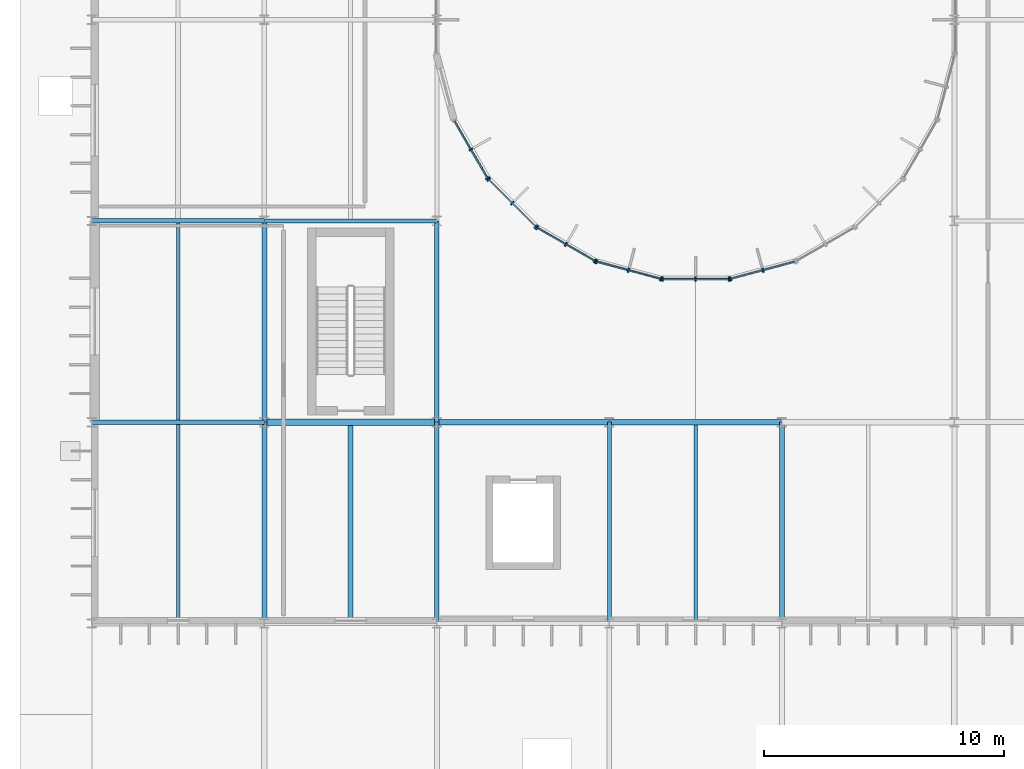
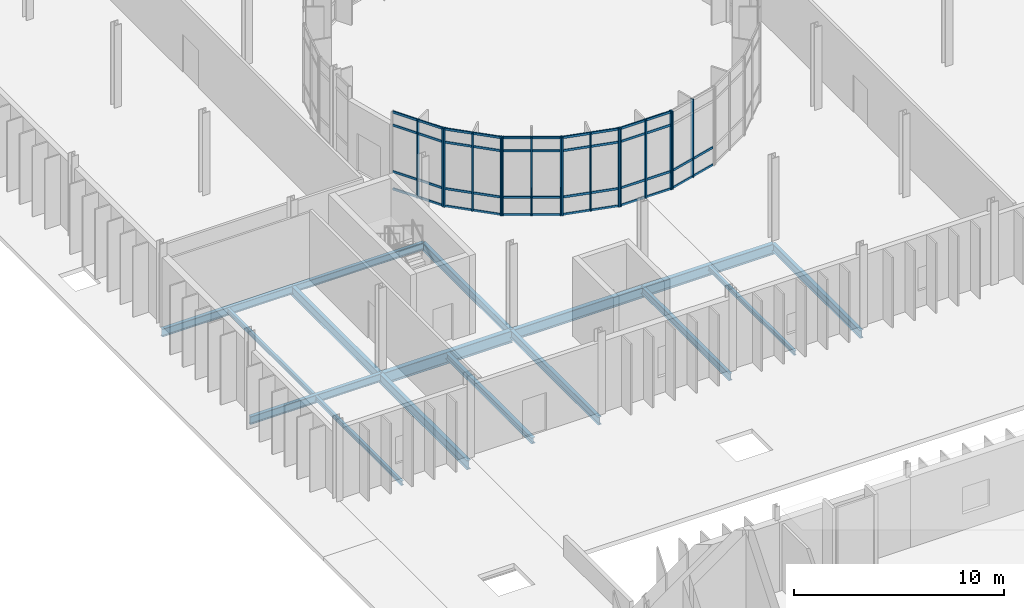
# One storey, part 39 of 118: 38 members, 16 beams, 6 elements without a shape of their own.
"""IFC4 building model written with IfcOpenShell, lengths in metres."""

from ifc_helpers import new_model, si_unit, direction, frame, origin, origin_2d, place, context, subcontext, project, spatial, rectangle, i_section, extrude, material, material_profile, profile_set, type_object, element, aggregate, save


model = new_model("IFC4")

# Units and contexts
model_context = context("Model", 3, precision=1e-05, world=origin(), true_north=direction((0.0, 1.0)))
body_context = subcontext(model_context, "Body", "Model", "MODEL_VIEW")
ifc_project = project(units=[si_unit("LENGTHUNIT", "METRE"), si_unit("AREAUNIT", "SQUARE_METRE"), si_unit("VOLUMEUNIT", "CUBIC_METRE"), si_unit("PLANEANGLEUNIT", "RADIAN"), si_unit("MASSUNIT", "GRAM", prefix="KILO")], contexts=[model_context])

# Site, building, storey
site_placement = place(None, origin())
site = spatial("IfcSite", under=ifc_project, at=site_placement, CompositionType="ELEMENT")
building_placement = place(site_placement, origin())
building = spatial("IfcBuilding", under=site, at=building_placement, Name="Qelthora Terrace Specialist Clinic", CompositionType="ELEMENT")
storey_placement = place(building_placement, origin())
storey = spatial("IfcBuildingStorey", under=building, at=storey_placement, Name="L00", CompositionType="ELEMENT", Elevation=0.0)

# Beams
ifc_material_1 = material(Name="Steel S355", Category="steel")
ifc_material_profile_1 = material_profile(ifc_material_1, i_section(OverallWidth=0.179931640625, OverallDepth=0.4130859375, WebThickness=0.009765625, FlangeThickness=0.01611328125, FilletRadius=0.011962890625, at=origin_2d()), Name="W410X75")
ifc_profile_set_1 = profile_set([ifc_material_profile_1], Name="Steel S355")
beam_type_1 = type_object("IfcBeamType", Name="BM-W410X75", PredefinedType="BEAM", material=ifc_profile_set_1)
beam_1_placement = place(storey_placement, frame((7.199951171875, 75.60009765625, -0.45654296875), z_axis=(1.0, 0.0, 0.0), x_axis=(0.0, 1.0, 0.0)))
element("IfcBeam", 1, at=beam_1_placement, inside=storey, type_object=beam_type_1, Name="Girder BMX-L00-0051", PredefinedType="BEAM", context=body_context, shape_type="SweptSolid", body=[
    extrude(i_section(OverallWidth=0.179931640625, OverallDepth=0.4130859375, WebThickness=0.009765625, FlangeThickness=0.01611328125, FilletRadius=0.011962890625, at=origin_2d()), origin(), (0.0, 0.0, 1.0), 7.199951171875),
])
beam_2_placement = place(storey_placement, frame((21.60009765625, 58.800048828125, -0.45654296875), z_axis=(0.0, 1.0, 0.0), x_axis=(-1.0, 0.0, 0.0)))
element("IfcBeam", 2, at=beam_2_placement, inside=storey, type_object=beam_type_1, Name="Girder BMY-L00-0099", PredefinedType="BEAM", context=body_context, shape_type="SweptSolid", body=[
    extrude(i_section(OverallWidth=0.179931640625, OverallDepth=0.4130859375, WebThickness=0.009765625, FlangeThickness=0.01611328125, FilletRadius=0.011962890625, at=origin_2d()), origin(), (0.0, 0.0, 1.0), 8.39990234375),
])
ifc_material_profile_2 = material_profile(ifc_material_1, i_section(OverallWidth=0.19091796875, OverallDepth=0.4599609375, WebThickness=0.010009765625, FlangeThickness=0.01611328125, FilletRadius=0.012939453125, at=origin_2d()), Name="W460X82")
ifc_profile_set_2 = profile_set([ifc_material_profile_2], Name="Steel S355")
beam_type_2 = type_object("IfcBeamType", Name="BM-W460X82", PredefinedType="BEAM", material=ifc_profile_set_2)
beam_3_placement = place(storey_placement, frame((14.39990234375, 67.199951171875, -0.47998046875), z_axis=(0.0, 1.0, 0.0), x_axis=(-1.0, 0.0, 0.0)))
element("IfcBeam", 3, at=beam_3_placement, inside=storey, type_object=beam_type_2, Name="Girder BMY-L00-0088", PredefinedType="BEAM", context=body_context, shape_type="SweptSolid", body=[
    extrude(i_section(OverallWidth=0.19091796875, OverallDepth=0.4599609375, WebThickness=0.010009765625, FlangeThickness=0.01611328125, FilletRadius=0.012939453125, at=origin_2d()), origin(), (0.0, 0.0, 1.0), 8.400146484375),
])
ifc_material_profile_3 = material_profile(ifc_material_1, i_section(OverallWidth=0.193115234375, OverallDepth=0.466064453125, WebThickness=0.011474609375, FlangeThickness=0.01904296875, FilletRadius=0.012939453125, at=origin_2d()), Name="W460X97")
ifc_profile_set_3 = profile_set([ifc_material_profile_3], Name="Steel S355")
beam_type_3 = type_object("IfcBeamType", Name="BM-W460X97", PredefinedType="BEAM", material=ifc_profile_set_3)
for number, where, z_axis, x_axis, name in (
    (4, (14.39990234375, 58.800048828125, -0.48291015625), (0.0, 1.0, 0.0), (-1.0, 0.0, 0.0), "Girder BMY-L00-0087"),
    (5, (28.800048828125, 58.800048828125, -0.48291015625), (0.0, 1.0, 0.0), (-1.0, 0.0, 0.0), "Girder BMY-L00-0107"),
):
    element("IfcBeam", number, at=place(storey_placement, frame(where, z_axis=z_axis, x_axis=x_axis)), inside=storey, type_object=beam_type_3, Name=name, PredefinedType="BEAM", context=body_context, shape_type="SweptSolid", body=[
        extrude(i_section(OverallWidth=0.193115234375, OverallDepth=0.466064453125, WebThickness=0.011474609375, FlangeThickness=0.01904296875, FilletRadius=0.012939453125, at=origin_2d()), origin(), (0.0, 0.0, 1.0), 8.39990234375),
    ])
ifc_material_profile_4 = material_profile(ifc_material_1, i_section(OverallWidth=0.2099609375, OverallDepth=0.537109375, WebThickness=0.010986328125, FlangeThickness=0.017333984375, FilletRadius=0.013916015625, at=origin_2d()), Name="W530X101")
ifc_profile_set_4 = profile_set([ifc_material_profile_4], Name="Steel S355")
beam_type_4 = type_object("IfcBeamType", Name="BM-W530X101", PredefinedType="BEAM", material=ifc_profile_set_4)
beam_4_placement = place(storey_placement, frame((7.199951171875, 67.199951171875, -0.5185546875), z_axis=(0.0, 1.0, 0.0), x_axis=(-1.0, 0.0, 0.0)))
element("IfcBeam", 6, at=beam_4_placement, inside=storey, type_object=beam_type_4, Name="Girder BMY-L00-0076", PredefinedType="BEAM", context=body_context, shape_type="SweptSolid", body=[
    extrude(i_section(OverallWidth=0.2099609375, OverallDepth=0.537109375, WebThickness=0.010986328125, FlangeThickness=0.017333984375, FilletRadius=0.013916015625, at=origin_2d()), origin(), (0.0, 0.0, 1.0), 8.400146484375),
])
ifc_material_profile_5 = material_profile(ifc_material_1, i_section(OverallWidth=0.2119140625, OverallDepth=0.5439453125, WebThickness=0.01318359375, FlangeThickness=0.021240234375, FilletRadius=0.013916015625, at=origin_2d()), Name="W530X123")
ifc_profile_set_5 = profile_set([ifc_material_profile_5], Name="Steel S355")
beam_type_5 = type_object("IfcBeamType", Name="BM-W530X123", PredefinedType="BEAM", material=ifc_profile_set_5)
beam_5_placement = place(storey_placement, frame((7.199951171875, 58.800048828125, -0.52197265625), z_axis=(0.0, 1.0, 0.0), x_axis=(-1.0, 0.0, 0.0)))
element("IfcBeam", 7, at=beam_5_placement, inside=storey, type_object=beam_type_5, Name="Girder BMY-L00-0075", PredefinedType="BEAM", context=body_context, shape_type="SweptSolid", body=[
    extrude(i_section(OverallWidth=0.2119140625, OverallDepth=0.5439453125, WebThickness=0.01318359375, FlangeThickness=0.021240234375, FilletRadius=0.013916015625, at=origin_2d()), origin(), (0.0, 0.0, 1.0), 8.39990234375),
])
ifc_material_profile_6 = material_profile(ifc_material_1, i_section(OverallWidth=0.22900390625, OverallDepth=0.612060546875, WebThickness=0.011962890625, FlangeThickness=0.01953125, FilletRadius=0.01611328125, at=origin_2d()), Name="W610X125")
ifc_profile_set_6 = profile_set([ifc_material_profile_6], Name="Steel S355")
beam_type_6 = type_object("IfcBeamType", Name="BM-W610X125", PredefinedType="BEAM", material=ifc_profile_set_6)
beam_6_placement = place(storey_placement, frame((21.60009765625, 67.199951171875, -0.555908203125), z_axis=(1.0, 0.0, 0.0), x_axis=(0.0, 1.0, 0.0)))
element("IfcBeam", 8, at=beam_6_placement, inside=storey, type_object=beam_type_6, Name="Girder BMX-L00-0046", PredefinedType="BEAM", context=body_context, shape_type="SweptSolid", body=[
    extrude(i_section(OverallWidth=0.22900390625, OverallDepth=0.612060546875, WebThickness=0.011962890625, FlangeThickness=0.01953125, FilletRadius=0.01611328125, at=origin_2d()), origin(), (0.0, 0.0, 1.0), 7.199951171875),
])
ifc_material_profile_7 = material_profile(ifc_material_1, i_section(OverallWidth=0.22998046875, OverallDepth=0.616943359375, WebThickness=0.01318359375, FlangeThickness=0.022216796875, FilletRadius=0.01611328125, at=origin_2d()), Name="W610X140")
ifc_profile_set_7 = profile_set([ifc_material_profile_7], Name="Steel S355")
beam_type_7 = type_object("IfcBeamType", Name="BM-W610X140", PredefinedType="BEAM", material=ifc_profile_set_7)
beam_7_placement = place(storey_placement, frame((14.39990234375, 67.199951171875, -0.55859375), z_axis=(1.0, 0.0, 0.0), x_axis=(0.0, 1.0, 0.0)))
element("IfcBeam", 9, at=beam_7_placement, inside=storey, type_object=beam_type_7, Name="Girder BMX-L00-0045", PredefinedType="BEAM", context=body_context, shape_type="SweptSolid", body=[
    extrude(i_section(OverallWidth=0.22998046875, OverallDepth=0.616943359375, WebThickness=0.01318359375, FlangeThickness=0.022216796875, FilletRadius=0.01611328125, at=origin_2d()), origin(), (0.0, 0.0, 1.0), 7.2001953125),
])
ifc_material_profile_8 = material_profile(ifc_material_1, i_section(OverallWidth=0.25390625, OverallDepth=0.68798828125, WebThickness=0.01318359375, FlangeThickness=0.02099609375, FilletRadius=0.01806640625, at=origin_2d()), Name="W690X152")
ifc_profile_set_8 = profile_set([ifc_material_profile_8], Name="Steel S355")
beam_type_8 = type_object("IfcBeamType", Name="BM-W690X152", PredefinedType="BEAM", material=ifc_profile_set_8)
beam_8_placement = place(storey_placement, frame((7.199951171875, 67.199951171875, -0.593994140625), z_axis=(1.0, 0.0, 0.0), x_axis=(0.0, 1.0, 0.0)))
element("IfcBeam", 10, at=beam_8_placement, inside=storey, type_object=beam_type_8, Name="Girder BMX-L00-0044", PredefinedType="BEAM", context=body_context, shape_type="SweptSolid", body=[
    extrude(i_section(OverallWidth=0.25390625, OverallDepth=0.68798828125, WebThickness=0.01318359375, FlangeThickness=0.02099609375, FilletRadius=0.01806640625, at=origin_2d()), origin(), (0.0, 0.0, 1.0), 7.199951171875),
])

# Curtain wall, members
ifc_material_2 = material(Name="Aluminium anodized bronze", Category="aluminium")
curtain_wall_type = type_object("IfcCurtainWallType", Name="CW-CRTW-L00", PredefinedType="NOTDEFINED", material=ifc_material_2)
curtain_wall_1_placement = place(storey_placement, origin())
curtain_wall_1 = element("IfcCurtainWall", 11, at=curtain_wall_1_placement, inside=storey, type_object=curtain_wall_type, Name="Curtain wall CW-CW-L00-14", PredefinedType="NOTDEFINED")
ifc_material_profile_9 = material_profile(ifc_material_2, rectangle(XDim=0.06494140625, YDim=0.179931640625, at=origin_2d()), Name="CWM65X180")
ifc_profile_set_9 = profile_set([ifc_material_profile_9], Name="Aluminium anodized bronze")
member_type_1 = type_object("IfcMemberType", Name="CWM-65X180", PredefinedType="MULLION", material=ifc_profile_set_9)
member_1_placement = place(storey_placement, frame((15.822998046875, 78.586181640625, 0.0), z_axis=(0.0, 0.0, 1.0), x_axis=(0.499999597971, -0.866025635896, 0.0)))
member_1 = element("IfcMember", 12, at=member_1_placement, type_object=member_type_1, Name="CW-CW-L00-14 mullion 2", PredefinedType="MULLION", context=body_context, shape_type="SweptSolid", body=[
    extrude(rectangle(XDim=0.06494140625, YDim=0.179931640625, at=origin_2d()), origin(), (0.0, 0.0, 1.0), 4.544921875),
])
member_2_placement = place(storey_placement, frame((16.517822265625, 77.3828125, 0.0), z_axis=(0.0, 0.0, 1.0), x_axis=(0.499999597971, -0.866025635896, 0.0)))
member_2 = element("IfcMember", 13, at=member_2_placement, type_object=member_type_1, Name="CW-CW-L00-14 mullion 3", PredefinedType="MULLION", context=body_context, shape_type="SweptSolid", body=[
    extrude(rectangle(XDim=0.06494140625, YDim=0.179931640625, at=origin_2d()), origin(), (0.0, 0.0, 1.0), 4.544921875),
])

curtain_wall_2_placement = place(storey_placement, origin())
curtain_wall_2 = element("IfcCurtainWall", 14, at=curtain_wall_2_placement, inside=storey, type_object=curtain_wall_type, Name="Curtain wall CW-CW-L00-15", PredefinedType="NOTDEFINED")
member_3_placement = place(storey_placement, frame((16.56103515625, 77.326416015625, 0.0), z_axis=(0.0, 0.0, 1.0), x_axis=(0.707106781187, -0.707106781187, 0.0)))
member_3 = element("IfcMember", 15, at=member_3_placement, type_object=member_type_1, Name="CW-CW-L00-15 mullion 1", PredefinedType="MULLION", context=body_context, shape_type="SweptSolid", body=[
    extrude(rectangle(XDim=0.06494140625, YDim=0.179931640625, at=origin_2d()), origin(), (0.0, 0.0, 1.0), 4.544921875),
])
member_4_placement = place(storey_placement, frame((17.543701171875, 76.34375, 0.0), z_axis=(0.0, 0.0, 1.0), x_axis=(0.707106781187, -0.707106781187, 0.0)))
member_4 = element("IfcMember", 16, at=member_4_placement, type_object=member_type_1, Name="CW-CW-L00-15 mullion 2", PredefinedType="MULLION", context=body_context, shape_type="SweptSolid", body=[
    extrude(rectangle(XDim=0.06494140625, YDim=0.179931640625, at=origin_2d()), origin(), (0.0, 0.0, 1.0), 4.544921875),
])
member_5_placement = place(storey_placement, frame((18.5263671875, 75.361083984375, 0.0), z_axis=(0.0, 0.0, 1.0), x_axis=(0.707106781187, -0.707106781187, 0.0)))
member_5 = element("IfcMember", 17, at=member_5_placement, type_object=member_type_1, Name="CW-CW-L00-15 mullion 3", PredefinedType="MULLION", context=body_context, shape_type="SweptSolid", body=[
    extrude(rectangle(XDim=0.06494140625, YDim=0.179931640625, at=origin_2d()), origin(), (0.0, 0.0, 1.0), 4.544921875),
])

curtain_wall_3_placement = place(storey_placement, origin())
curtain_wall_3 = element("IfcCurtainWall", 18, at=curtain_wall_3_placement, inside=storey, type_object=curtain_wall_type, Name="Curtain wall CW-CW-L00-16", PredefinedType="NOTDEFINED")
member_6_placement = place(storey_placement, frame((18.582763671875, 75.31787109375, 0.0), z_axis=(0.0, 0.0, 1.0), x_axis=(0.866025635896, -0.499999597971, 0.0)))
member_6 = element("IfcMember", 19, at=member_6_placement, type_object=member_type_1, Name="CW-CW-L00-16 mullion 1", PredefinedType="MULLION", context=body_context, shape_type="SweptSolid", body=[
    extrude(rectangle(XDim=0.06494140625, YDim=0.179931640625, at=origin_2d()), origin(), (0.0, 0.0, 1.0), 4.544921875),
])
member_7_placement = place(storey_placement, frame((19.7861328125, 74.623046875, 0.0), z_axis=(0.0, 0.0, 1.0), x_axis=(0.866025635896, -0.499999597971, 0.0)))
member_7 = element("IfcMember", 20, at=member_7_placement, type_object=member_type_1, Name="CW-CW-L00-16 mullion 2", PredefinedType="MULLION", context=body_context, shape_type="SweptSolid", body=[
    extrude(rectangle(XDim=0.06494140625, YDim=0.179931640625, at=origin_2d()), origin(), (0.0, 0.0, 1.0), 4.544921875),
])
member_8_placement = place(storey_placement, frame((20.98974609375, 73.92822265625, 0.0), z_axis=(0.0, 0.0, 1.0), x_axis=(0.866025635896, -0.499999597971, 0.0)))
member_8 = element("IfcMember", 21, at=member_8_placement, type_object=member_type_1, Name="CW-CW-L00-16 mullion 3", PredefinedType="MULLION", context=body_context, shape_type="SweptSolid", body=[
    extrude(rectangle(XDim=0.06494140625, YDim=0.179931640625, at=origin_2d()), origin(), (0.0, 0.0, 1.0), 4.544921875),
])

curtain_wall_4_placement = place(storey_placement, origin())
curtain_wall_4 = element("IfcCurtainWall", 22, at=curtain_wall_4_placement, inside=storey, type_object=curtain_wall_type, Name="Curtain wall CW-CW-L00-17", PredefinedType="NOTDEFINED")
member_9_placement = place(storey_placement, frame((21.05517578125, 73.901123046875, 0.0), z_axis=(0.0, 0.0, 1.0), x_axis=(0.96592547477, -0.258820356987, 0.0)))
member_9 = element("IfcMember", 23, at=member_9_placement, type_object=member_type_1, Name="CW-CW-L00-17 mullion 1", PredefinedType="MULLION", context=body_context, shape_type="SweptSolid", body=[
    extrude(rectangle(XDim=0.06494140625, YDim=0.179931640625, at=origin_2d()), origin(), (0.0, 0.0, 1.0), 4.544921875),
])
member_10_placement = place(storey_placement, frame((22.397705078125, 73.541259765625, 0.0), z_axis=(0.0, 0.0, 1.0), x_axis=(0.96592547477, -0.258820356987, 0.0)))
member_10 = element("IfcMember", 24, at=member_10_placement, type_object=member_type_1, Name="CW-CW-L00-17 mullion 2", PredefinedType="MULLION", context=body_context, shape_type="SweptSolid", body=[
    extrude(rectangle(XDim=0.06494140625, YDim=0.179931640625, at=origin_2d()), origin(), (0.0, 0.0, 1.0), 4.544921875),
])
member_11_placement = place(storey_placement, frame((23.739990234375, 73.181640625, 0.0), z_axis=(0.0, 0.0, 1.0), x_axis=(0.96592547477, -0.258820356987, 0.0)))
member_11 = element("IfcMember", 25, at=member_11_placement, type_object=member_type_1, Name="CW-CW-L00-17 mullion 3", PredefinedType="MULLION", context=body_context, shape_type="SweptSolid", body=[
    extrude(rectangle(XDim=0.06494140625, YDim=0.179931640625, at=origin_2d()), origin(), (0.0, 0.0, 1.0), 4.544921875),
])

curtain_wall_5_placement = place(storey_placement, origin())
curtain_wall_5 = element("IfcCurtainWall", 26, at=curtain_wall_5_placement, inside=storey, type_object=curtain_wall_type, Name="Curtain wall CW-CW-L00-18", PredefinedType="NOTDEFINED")
member_12_placement = place(storey_placement, frame((23.810302734375, 73.17236328125, 0.0), z_axis=(0.0, 0.0, 1.0), x_axis=(1.0, 0.0, 0.0)))
member_12 = element("IfcMember", 27, at=member_12_placement, type_object=member_type_1, Name="CW-CW-L00-18 mullion 1", PredefinedType="MULLION", context=body_context, shape_type="SweptSolid", body=[
    extrude(rectangle(XDim=0.06494140625, YDim=0.179931640625, at=origin_2d()), origin(), (0.0, 0.0, 1.0), 4.544921875),
])
member_13_placement = place(storey_placement, frame((25.199951171875, 73.17236328125, 0.0), z_axis=(0.0, 0.0, 1.0), x_axis=(1.0, 0.0, 0.0)))
member_13 = element("IfcMember", 28, at=member_13_placement, type_object=member_type_1, Name="CW-CW-L00-18 mullion 2", PredefinedType="MULLION", context=body_context, shape_type="SweptSolid", body=[
    extrude(rectangle(XDim=0.06494140625, YDim=0.179931640625, at=origin_2d()), origin(), (0.0, 0.0, 1.0), 4.544921875),
])
member_14_placement = place(storey_placement, frame((26.589599609375, 73.17236328125, 0.0), z_axis=(0.0, 0.0, 1.0), x_axis=(1.0, 0.0, 0.0)))
member_14 = element("IfcMember", 29, at=member_14_placement, type_object=member_type_1, Name="CW-CW-L00-18 mullion 3", PredefinedType="MULLION", context=body_context, shape_type="SweptSolid", body=[
    extrude(rectangle(XDim=0.06494140625, YDim=0.179931640625, at=origin_2d()), origin(), (0.0, 0.0, 1.0), 4.544921875),
])

curtain_wall_6_placement = place(storey_placement, origin())
curtain_wall_6 = element("IfcCurtainWall", 30, at=curtain_wall_6_placement, inside=storey, type_object=curtain_wall_type, Name="Curtain wall CW-CW-L00-19", PredefinedType="NOTDEFINED")
member_15_placement = place(storey_placement, frame((26.66015625, 73.181640625, 0.0), z_axis=(0.0, 0.0, 1.0), x_axis=(0.96592547477, 0.258820356987, 0.0)))
member_15 = element("IfcMember", 31, at=member_15_placement, type_object=member_type_1, Name="CW-CW-L00-19 mullion 1", PredefinedType="MULLION", context=body_context, shape_type="SweptSolid", body=[
    extrude(rectangle(XDim=0.06494140625, YDim=0.179931640625, at=origin_2d()), origin(), (0.0, 0.0, 1.0), 4.544921875),
])
member_16_placement = place(storey_placement, frame((28.00244140625, 73.541259765625, 0.0), z_axis=(0.0, 0.0, 1.0), x_axis=(0.96592547477, 0.258820356987, 0.0)))
member_16 = element("IfcMember", 32, at=member_16_placement, type_object=member_type_1, Name="CW-CW-L00-19 mullion 2", PredefinedType="MULLION", context=body_context, shape_type="SweptSolid", body=[
    extrude(rectangle(XDim=0.06494140625, YDim=0.179931640625, at=origin_2d()), origin(), (0.0, 0.0, 1.0), 4.544921875),
])

# Member
ifc_material_profile_10 = material_profile(ifc_material_2, rectangle(XDim=0.06494140625, YDim=0.1298828125, at=origin_2d()), Name="CWT65X130")
ifc_profile_set_10 = profile_set([ifc_material_profile_10], Name="Aluminium anodized bronze")
member_type_2 = type_object("IfcMemberType", Name="CWT-65X130", PredefinedType="USERDEFINED", material=ifc_profile_set_10)
member_17_placement = place(storey_placement, frame((15.13818359375, 79.7724609375, 0.0400390625), z_axis=(0.499953886166, -0.866052025982, 0.0), x_axis=(0.866052025982, 0.499953886166, 0.0)))
member_17 = element("IfcMember", 33, at=member_17_placement, type_object=member_type_2, Name="CW-CW-L00-14 transom 1", ObjectType="TRANSOM", PredefinedType="USERDEFINED", context=body_context, shape_type="SweptSolid", body=[
    extrude(rectangle(XDim=0.06494140625, YDim=0.1298828125, at=origin_2d()), origin(), (0.0, 0.0, 1.0), 2.739501953125),
])

member_18_placement = place(storey_placement, frame((15.13818359375, 79.7724609375, 1.050048828125), z_axis=(0.499953886166, -0.866052025982, 0.0), x_axis=(0.866052025982, 0.499953886166, 0.0)))
member_18 = element("IfcMember", 34, at=member_18_placement, type_object=member_type_2, Name="CW-CW-L00-14 transom 2", ObjectType="TRANSOM", PredefinedType="USERDEFINED", context=body_context, shape_type="SweptSolid", body=[
    extrude(rectangle(XDim=0.06494140625, YDim=0.1298828125, at=origin_2d()), origin(), (0.0, 0.0, 1.0), 2.739501953125),
])

member_19_placement = place(storey_placement, frame((15.13818359375, 79.7724609375, 3.7451171875), z_axis=(0.499953886166, -0.866052025982, 0.0), x_axis=(0.866052025982, 0.499953886166, 0.0)))
member_19 = element("IfcMember", 35, at=member_19_placement, type_object=member_type_2, Name="CW-CW-L00-14 transom 3", ObjectType="TRANSOM", PredefinedType="USERDEFINED", context=body_context, shape_type="SweptSolid", body=[
    extrude(rectangle(XDim=0.06494140625, YDim=0.1298828125, at=origin_2d()), origin(), (0.0, 0.0, 1.0), 2.739501953125),
])

member_20_placement = place(storey_placement, frame((15.13818359375, 79.7724609375, 4.5048828125), z_axis=(0.499953886166, -0.866052025982, 0.0), x_axis=(0.866052025982, 0.499953886166, 0.0)))
member_20 = element("IfcMember", 36, at=member_20_placement, type_object=member_type_2, Name="CW-CW-L00-14 transom 4", ObjectType="TRANSOM", PredefinedType="USERDEFINED", context=body_context, shape_type="SweptSolid", body=[
    extrude(rectangle(XDim=0.06494140625, YDim=0.1298828125, at=origin_2d()), origin(), (0.0, 0.0, 1.0), 2.739501953125),
])

aggregate(curtain_wall_1, [member_1, member_2, member_17, member_18, member_19, member_20])

member_21_placement = place(storey_placement, frame((16.5751953125, 77.312255859375, 0.0400390625), z_axis=(0.707106781187, -0.707106781187, 0.0), x_axis=(0.707106781187, 0.707106781187, 0.0)))
member_21 = element("IfcMember", 37, at=member_21_placement, type_object=member_type_2, Name="CW-CW-L00-15 transom 1", ObjectType="TRANSOM", PredefinedType="USERDEFINED", context=body_context, shape_type="SweptSolid", body=[
    extrude(rectangle(XDim=0.06494140625, YDim=0.1298828125, at=origin_2d()), origin(), (0.0, 0.0, 1.0), 2.7392578125),
])

member_22_placement = place(storey_placement, frame((16.5751953125, 77.312255859375, 1.050048828125), z_axis=(0.707106781187, -0.707106781187, 0.0), x_axis=(0.707106781187, 0.707106781187, 0.0)))
member_22 = element("IfcMember", 38, at=member_22_placement, type_object=member_type_2, Name="CW-CW-L00-15 transom 2", ObjectType="TRANSOM", PredefinedType="USERDEFINED", context=body_context, shape_type="SweptSolid", body=[
    extrude(rectangle(XDim=0.06494140625, YDim=0.1298828125, at=origin_2d()), origin(), (0.0, 0.0, 1.0), 2.7392578125),
])

member_23_placement = place(storey_placement, frame((16.5751953125, 77.312255859375, 3.7451171875), z_axis=(0.707106781187, -0.707106781187, 0.0), x_axis=(0.707106781187, 0.707106781187, 0.0)))
member_23 = element("IfcMember", 39, at=member_23_placement, type_object=member_type_2, Name="CW-CW-L00-15 transom 3", ObjectType="TRANSOM", PredefinedType="USERDEFINED", context=body_context, shape_type="SweptSolid", body=[
    extrude(rectangle(XDim=0.06494140625, YDim=0.1298828125, at=origin_2d()), origin(), (0.0, 0.0, 1.0), 2.7392578125),
])

member_24_placement = place(storey_placement, frame((16.5751953125, 77.312255859375, 4.5048828125), z_axis=(0.707106781187, -0.707106781187, 0.0), x_axis=(0.707106781187, 0.707106781187, 0.0)))
member_24 = element("IfcMember", 40, at=member_24_placement, type_object=member_type_2, Name="CW-CW-L00-15 transom 4", ObjectType="TRANSOM", PredefinedType="USERDEFINED", context=body_context, shape_type="SweptSolid", body=[
    extrude(rectangle(XDim=0.06494140625, YDim=0.1298828125, at=origin_2d()), origin(), (0.0, 0.0, 1.0), 2.7392578125),
])

aggregate(curtain_wall_2, [member_3, member_4, member_5, member_21, member_22, member_23, member_24])

member_25_placement = place(storey_placement, frame((18.60009765625, 75.307861328125, 0.0400390625), z_axis=(0.866029747927, -0.499992475648, 0.0), x_axis=(0.499992475648, 0.866029747927, 0.0)))
member_25 = element("IfcMember", 41, at=member_25_placement, type_object=member_type_2, Name="CW-CW-L00-16 transom 1", ObjectType="TRANSOM", PredefinedType="USERDEFINED", context=body_context, shape_type="SweptSolid", body=[
    extrude(rectangle(XDim=0.06494140625, YDim=0.1298828125, at=origin_2d()), origin(), (0.0, 0.0, 1.0), 2.7392578125),
])

member_26_placement = place(storey_placement, frame((18.60009765625, 75.307861328125, 1.050048828125), z_axis=(0.866029747927, -0.499992475648, 0.0), x_axis=(0.499992475648, 0.866029747927, 0.0)))
member_26 = element("IfcMember", 42, at=member_26_placement, type_object=member_type_2, Name="CW-CW-L00-16 transom 2", ObjectType="TRANSOM", PredefinedType="USERDEFINED", context=body_context, shape_type="SweptSolid", body=[
    extrude(rectangle(XDim=0.06494140625, YDim=0.1298828125, at=origin_2d()), origin(), (0.0, 0.0, 1.0), 2.7392578125),
])

member_27_placement = place(storey_placement, frame((18.60009765625, 75.307861328125, 3.7451171875), z_axis=(0.866029747927, -0.499992475648, 0.0), x_axis=(0.499992475648, 0.866029747927, 0.0)))
member_27 = element("IfcMember", 43, at=member_27_placement, type_object=member_type_2, Name="CW-CW-L00-16 transom 3", ObjectType="TRANSOM", PredefinedType="USERDEFINED", context=body_context, shape_type="SweptSolid", body=[
    extrude(rectangle(XDim=0.06494140625, YDim=0.1298828125, at=origin_2d()), origin(), (0.0, 0.0, 1.0), 2.7392578125),
])

member_28_placement = place(storey_placement, frame((18.60009765625, 75.307861328125, 4.5048828125), z_axis=(0.866029747927, -0.499992475648, 0.0), x_axis=(0.499992475648, 0.866029747927, 0.0)))
member_28 = element("IfcMember", 44, at=member_28_placement, type_object=member_type_2, Name="CW-CW-L00-16 transom 4", ObjectType="TRANSOM", PredefinedType="USERDEFINED", context=body_context, shape_type="SweptSolid", body=[
    extrude(rectangle(XDim=0.06494140625, YDim=0.1298828125, at=origin_2d()), origin(), (0.0, 0.0, 1.0), 2.7392578125),
])

aggregate(curtain_wall_3, [member_6, member_7, member_8, member_25, member_26, member_27, member_28])

member_29_placement = place(storey_placement, frame((21.07470703125, 73.895751953125, 0.0400390625), z_axis=(0.965926569303, -0.258816272122, 0.0), x_axis=(0.258816272122, 0.965926569303, 0.0)))
member_29 = element("IfcMember", 45, at=member_29_placement, type_object=member_type_2, Name="CW-CW-L00-17 transom 1", ObjectType="TRANSOM", PredefinedType="USERDEFINED", context=body_context, shape_type="SweptSolid", body=[
    extrude(rectangle(XDim=0.06494140625, YDim=0.1298828125, at=origin_2d()), origin(), (0.0, 0.0, 1.0), 2.7392578125),
])

member_30_placement = place(storey_placement, frame((21.07470703125, 73.895751953125, 1.050048828125), z_axis=(0.965926569303, -0.258816272122, 0.0), x_axis=(0.258816272122, 0.965926569303, 0.0)))
member_30 = element("IfcMember", 46, at=member_30_placement, type_object=member_type_2, Name="CW-CW-L00-17 transom 2", ObjectType="TRANSOM", PredefinedType="USERDEFINED", context=body_context, shape_type="SweptSolid", body=[
    extrude(rectangle(XDim=0.06494140625, YDim=0.1298828125, at=origin_2d()), origin(), (0.0, 0.0, 1.0), 2.7392578125),
])

member_31_placement = place(storey_placement, frame((21.07470703125, 73.895751953125, 3.7451171875), z_axis=(0.965926569303, -0.258816272122, 0.0), x_axis=(0.258816272122, 0.965926569303, 0.0)))
member_31 = element("IfcMember", 47, at=member_31_placement, type_object=member_type_2, Name="CW-CW-L00-17 transom 3", ObjectType="TRANSOM", PredefinedType="USERDEFINED", context=body_context, shape_type="SweptSolid", body=[
    extrude(rectangle(XDim=0.06494140625, YDim=0.1298828125, at=origin_2d()), origin(), (0.0, 0.0, 1.0), 2.7392578125),
])

member_32_placement = place(storey_placement, frame((21.07470703125, 73.895751953125, 4.5048828125), z_axis=(0.965926569303, -0.258816272122, 0.0), x_axis=(0.258816272122, 0.965926569303, 0.0)))
member_32 = element("IfcMember", 48, at=member_32_placement, type_object=member_type_2, Name="CW-CW-L00-17 transom 4", ObjectType="TRANSOM", PredefinedType="USERDEFINED", context=body_context, shape_type="SweptSolid", body=[
    extrude(rectangle(XDim=0.06494140625, YDim=0.1298828125, at=origin_2d()), origin(), (0.0, 0.0, 1.0), 2.7392578125),
])

aggregate(curtain_wall_4, [member_9, member_10, member_11, member_29, member_30, member_31, member_32])

member_33_placement = place(storey_placement, frame((23.830322265625, 73.17236328125, 0.0400390625), z_axis=(1.0, 0.0, 0.0), x_axis=(0.0, 1.0, 0.0)))
member_33 = element("IfcMember", 49, at=member_33_placement, type_object=member_type_2, Name="CW-CW-L00-18 transom 1", ObjectType="TRANSOM", PredefinedType="USERDEFINED", context=body_context, shape_type="SweptSolid", body=[
    extrude(rectangle(XDim=0.06494140625, YDim=0.1298828125, at=origin_2d()), origin(), (0.0, 0.0, 1.0), 2.7392578125),
])

member_34_placement = place(storey_placement, frame((23.830322265625, 73.17236328125, 1.050048828125), z_axis=(1.0, 0.0, 0.0), x_axis=(0.0, 1.0, 0.0)))
member_34 = element("IfcMember", 50, at=member_34_placement, type_object=member_type_2, Name="CW-CW-L00-18 transom 2", ObjectType="TRANSOM", PredefinedType="USERDEFINED", context=body_context, shape_type="SweptSolid", body=[
    extrude(rectangle(XDim=0.06494140625, YDim=0.1298828125, at=origin_2d()), origin(), (0.0, 0.0, 1.0), 2.7392578125),
])

member_35_placement = place(storey_placement, frame((23.830322265625, 73.17236328125, 3.7451171875), z_axis=(1.0, 0.0, 0.0), x_axis=(0.0, 1.0, 0.0)))
member_35 = element("IfcMember", 51, at=member_35_placement, type_object=member_type_2, Name="CW-CW-L00-18 transom 3", ObjectType="TRANSOM", PredefinedType="USERDEFINED", context=body_context, shape_type="SweptSolid", body=[
    extrude(rectangle(XDim=0.06494140625, YDim=0.1298828125, at=origin_2d()), origin(), (0.0, 0.0, 1.0), 2.7392578125),
])

member_36_placement = place(storey_placement, frame((23.830322265625, 73.17236328125, 4.5048828125), z_axis=(1.0, 0.0, 0.0), x_axis=(0.0, 1.0, 0.0)))
member_36 = element("IfcMember", 52, at=member_36_placement, type_object=member_type_2, Name="CW-CW-L00-18 transom 4", ObjectType="TRANSOM", PredefinedType="USERDEFINED", context=body_context, shape_type="SweptSolid", body=[
    extrude(rectangle(XDim=0.06494140625, YDim=0.1298828125, at=origin_2d()), origin(), (0.0, 0.0, 1.0), 2.7392578125),
])

aggregate(curtain_wall_5, [member_12, member_13, member_14, member_33, member_34, member_35, member_36])

member_37_placement = place(storey_placement, frame((26.679443359375, 73.186767578125, 0.0400390625), z_axis=(0.965926569303, 0.258816272122, 0.0), x_axis=(-0.258816272122, 0.965926569303, 0.0)))
member_37 = element("IfcMember", 53, at=member_37_placement, type_object=member_type_2, Name="CW-CW-L00-19 transom 1", ObjectType="TRANSOM", PredefinedType="USERDEFINED", context=body_context, shape_type="SweptSolid", body=[
    extrude(rectangle(XDim=0.06494140625, YDim=0.1298828125, at=origin_2d()), origin(), (0.0, 0.0, 1.0), 2.7392578125),
])

member_38_placement = place(storey_placement, frame((26.679443359375, 73.186767578125, 1.050048828125), z_axis=(0.965926569303, 0.258816272122, 0.0), x_axis=(-0.258816272122, 0.965926569303, 0.0)))
member_38 = element("IfcMember", 54, at=member_38_placement, type_object=member_type_2, Name="CW-CW-L00-19 transom 2", ObjectType="TRANSOM", PredefinedType="USERDEFINED", context=body_context, shape_type="SweptSolid", body=[
    extrude(rectangle(XDim=0.06494140625, YDim=0.1298828125, at=origin_2d()), origin(), (0.0, 0.0, 1.0), 2.7392578125),
])

aggregate(curtain_wall_6, [member_15, member_16, member_37, member_38])

# Beams
ifc_material_profile_11 = material_profile(ifc_material_1, i_section(OverallWidth=0.14599609375, OverallDepth=0.258056640625, WebThickness=0.006103515625, FlangeThickness=0.009033203125, FilletRadius=0.009033203125, at=origin_2d()), Name="W250X33")
ifc_profile_set_11 = profile_set([ifc_material_profile_11], Name="Steel S355")
beam_type_9 = type_object("IfcBeamType", Name="JST-W250X33", PredefinedType="JOIST", material=ifc_profile_set_11)
beam_9_placement = place(storey_placement, frame((3.60009765625, 67.29541015625, -0.37890625), z_axis=(0.0, 1.0, 0.0), x_axis=(-1.0, 0.0, 0.0)))
element("IfcBeam", 55, at=beam_9_placement, inside=storey, type_object=beam_type_9, Name="Composite floor joist JST-L00-0006", PredefinedType="JOIST", context=body_context, shape_type="SweptSolid", body=[
    extrude(i_section(OverallWidth=0.14599609375, OverallDepth=0.258056640625, WebThickness=0.006103515625, FlangeThickness=0.009033203125, FilletRadius=0.009033203125, at=origin_2d()), origin(), (0.0, 0.0, 1.0), 8.208984375),
])
beam_10_placement = place(storey_placement, frame((25.199951171875, 58.889404296875, -0.37890625), z_axis=(0.0, 1.0, 0.0), x_axis=(-1.0, 0.0, 0.0)))
element("IfcBeam", 56, at=beam_10_placement, inside=storey, type_object=beam_type_9, Name="Composite floor joist JST-L00-0024", PredefinedType="JOIST", context=body_context, shape_type="SweptSolid", body=[
    extrude(i_section(OverallWidth=0.14599609375, OverallDepth=0.258056640625, WebThickness=0.006103515625, FlangeThickness=0.009033203125, FilletRadius=0.009033203125, at=origin_2d()), origin(), (0.0, 0.0, 1.0), 8.196044921875),
])
ifc_material_profile_12 = material_profile(ifc_material_1, i_section(OverallWidth=0.14697265625, OverallDepth=0.261962890625, WebThickness=0.006591796875, FlangeThickness=0.01123046875, FilletRadius=0.009033203125, at=origin_2d()), Name="W250X39")
ifc_profile_set_12 = profile_set([ifc_material_profile_12], Name="Steel S355")
beam_type_10 = type_object("IfcBeamType", Name="JST-W250X39", PredefinedType="JOIST", material=ifc_profile_set_12)
beam_11_placement = place(storey_placement, frame((3.60009765625, 58.8955078125, -0.381103515625), z_axis=(0.0, 1.0, 0.0), x_axis=(-1.0, 0.0, 0.0)))
element("IfcBeam", 57, at=beam_11_placement, inside=storey, type_object=beam_type_10, Name="Composite floor joist JST-L00-0005", PredefinedType="JOIST", context=body_context, shape_type="SweptSolid", body=[
    extrude(i_section(OverallWidth=0.14697265625, OverallDepth=0.261962890625, WebThickness=0.006591796875, FlangeThickness=0.01123046875, FilletRadius=0.009033203125, at=origin_2d()), origin(), (0.0, 0.0, 1.0), 8.208984375),
])
ifc_material_profile_13 = material_profile(ifc_material_1, i_section(OverallWidth=0.202880859375, OverallDepth=0.346923828125, WebThickness=0.0078125, FlangeThickness=0.013427734375, FilletRadius=0.010986328125, at=origin_2d()), Name="W360X64")
ifc_profile_set_13 = profile_set([ifc_material_profile_13], Name="Steel S355")
beam_type_11 = type_object("IfcBeamType", Name="JST-W360X64", PredefinedType="JOIST", material=ifc_profile_set_13)
beam_12_placement = place(storey_placement, frame((10.800048828125, 58.889404296875, -0.423583984375), z_axis=(0.0, 1.0, 0.0), x_axis=(-1.0, 0.0, 0.0)))
element("IfcBeam", 58, at=beam_12_placement, inside=storey, type_object=beam_type_11, Name="Composite floor joist JST-L00-0013", PredefinedType="JOIST", context=body_context, shape_type="SweptSolid", body=[
    extrude(i_section(OverallWidth=0.202880859375, OverallDepth=0.346923828125, WebThickness=0.0078125, FlangeThickness=0.013427734375, FilletRadius=0.010986328125, at=origin_2d()), origin(), (0.0, 0.0, 1.0), 8.18359375),
])
ifc_material_profile_14 = material_profile(ifc_material_1, i_section(OverallWidth=0.19091796875, OverallDepth=0.4599609375, WebThickness=0.010009765625, FlangeThickness=0.01611328125, FilletRadius=0.012939453125, at=origin_2d()), Name="W460X82")
ifc_profile_set_14 = profile_set([ifc_material_profile_14], Name="Steel S355")
beam_type_12 = type_object("IfcBeamType", Name="SPD-W460X82", PredefinedType="SPANDREL", material=ifc_profile_set_14)
for number, where, z_axis, x_axis, name in (
    (59, (0.0, 67.199951171875, -0.47998046875), (1.0, 0.0, 0.0), (0.0, 1.0, 0.0), "Girder BMX-L00-0043"),
    (60, (0.0, 75.60009765625, -0.47998046875), (1.0, 0.0, 0.0), (0.0, 1.0, 0.0), "Girder BMX-L00-0050"),
):
    element("IfcBeam", number, at=place(storey_placement, frame(where, z_axis=z_axis, x_axis=x_axis)), inside=storey, type_object=beam_type_12, Name=name, PredefinedType="SPANDREL", context=body_context, shape_type="SweptSolid", body=[
        extrude(i_section(OverallWidth=0.19091796875, OverallDepth=0.4599609375, WebThickness=0.010009765625, FlangeThickness=0.01611328125, FilletRadius=0.012939453125, at=origin_2d()), origin(), (0.0, 0.0, 1.0), 7.199951171875),
    ])

save(model, "model.ifc")
